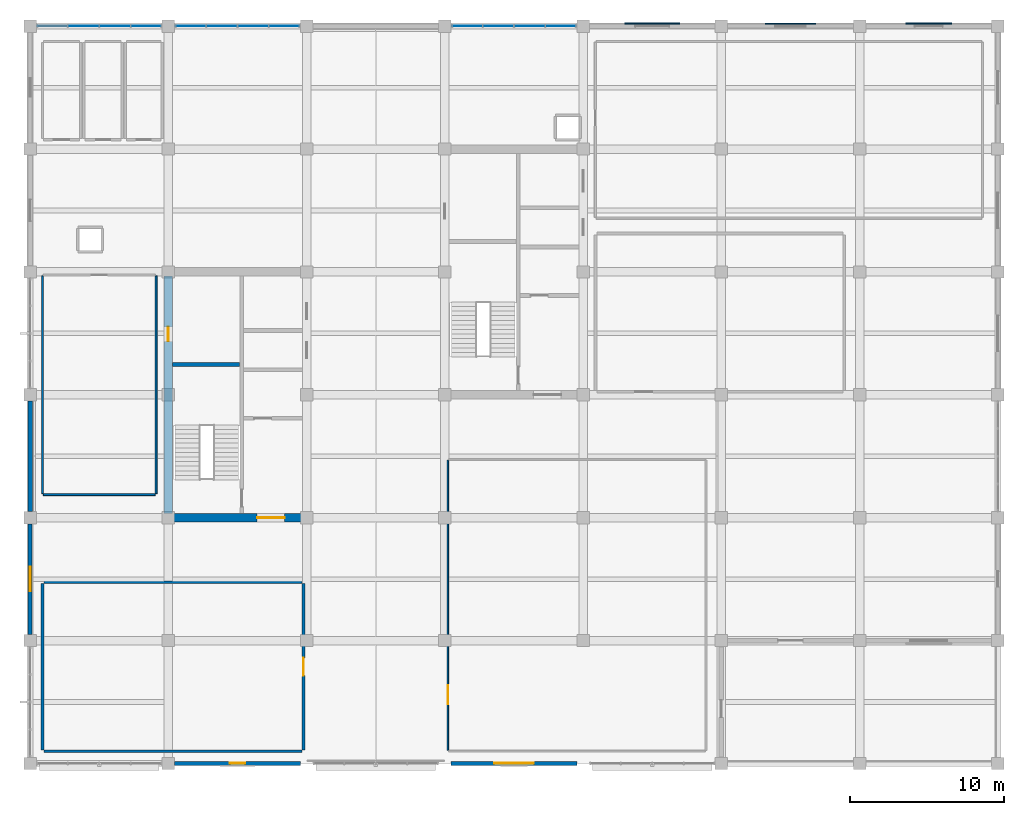
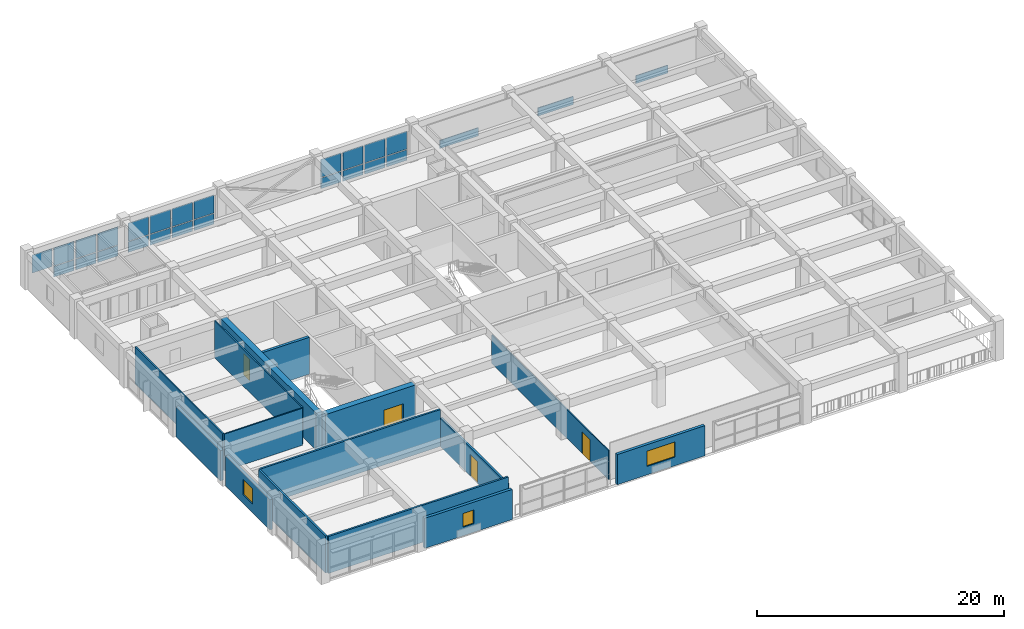
# One storey, part 12 of 17: 26 plates, 15 walls, 4 doors, 3 windows, 7 openings, 3 elements without a shape of their own.
"""IFC4 building model written with IfcOpenShell, lengths in metres."""

import ifcopenshell
import ifcopenshell.guid

model = None  # the IFC model being written
_history = None  # IfcOwnerHistory: only IFC2X3 demands one
_inside = {}  # id of a spatial element -> (the spatial element, [elements in it])
_under = {}  # id of a project, library or spatial element -> (it, [spatial elements below it])
_declared = {}  # id of a project -> (the project, [libraries it declares])
_typed = {}  # id of a type object -> (the type object, [elements of that type])
_made_of = {}  # id of a material, layer set ... -> (it, [elements and type objects made of it])


def new_model(schema):
    """Start an empty IFC model of exactly this schema.

    Asked for "IFC4X3", IfcOpenShell would pick the latest addendum, in which some entities
    have other attributes; the version numbers below select the first issue.
    IFC2X3 requires an IfcOwnerHistory on every rooted entity: one is made here for all.
    """
    global model, _history
    if schema == "IFC4X3":
        model = ifcopenshell.file(schema_version=(4, 3, 0, 0))
    else:
        model = ifcopenshell.file(schema=schema)
    _inside.clear()
    _under.clear()
    _declared.clear()
    _typed.clear()
    _made_of.clear()
    _history = None
    if model.schema == "IFC2X3":
        org = make("IfcOrganization", Name="unknown")
        user = make(
            "IfcPersonAndOrganization",
            ThePerson=make("IfcPerson", FamilyName="unknown"),
            TheOrganization=org,
        )
        app = make(
            "IfcApplication",
            ApplicationDeveloper=org,
            Version="unknown",
            ApplicationFullName="unknown",
            ApplicationIdentifier="unknown",
        )
        _history = make(
            "IfcOwnerHistory",
            OwningUser=user,
            OwningApplication=app,
            ChangeAction="ADDED",
            CreationDate=0,
        )
    return model


def make(cls, **values):
    """One entity of the class cls with the attributes given. An attribute that is None is left unset."""
    return model.create_entity(
        cls, **{name: value for name, value in values.items() if value is not None}
    )


def rooted(cls, **values):
    """An entity with a GlobalId (a new one), such as an element, a storey or a relation."""
    return make(cls, GlobalId=ifcopenshell.guid.new(), OwnerHistory=_history, **values)


def si_unit(unit_type, name, prefix=None):
    """IfcSIUnit, for example si_unit("LENGTHUNIT", "METRE", prefix="MILLI")."""
    return make("IfcSIUnit", UnitType=unit_type, Prefix=prefix, Name=name)


def assignment(units):
    """IfcUnitAssignment: the units of a project."""
    return None if units is None else make("IfcUnitAssignment", Units=units)


def point(xyz):
    """IfcCartesianPoint."""
    return None if xyz is None else make("IfcCartesianPoint", Coordinates=xyz)


def direction(xyz):
    """IfcDirection."""
    return None if xyz is None else make("IfcDirection", DirectionRatios=xyz)


def frame(location, z_axis=None, x_axis=None):
    """IfcAxis2Placement3D, a coordinate frame: its origin and axes. An axis left out is left unset."""
    return make(
        "IfcAxis2Placement3D",
        Location=point(location),
        Axis=direction(z_axis),
        RefDirection=direction(x_axis),
    )


def frame_2d(location, x_axis=None):
    """IfcAxis2Placement2D, a coordinate frame in the plane: its origin and x axis."""
    return make(
        "IfcAxis2Placement2D", Location=point(location), RefDirection=direction(x_axis)
    )


def origin():
    """The frame at (0, 0, 0) with its axes left unset."""
    return frame((0.0, 0.0, 0.0))


def place(relative_to, where):
    """IfcLocalPlacement: puts the frame where relative to a parent placement (None: the world)."""
    return make(
        "IfcLocalPlacement", PlacementRelTo=relative_to, RelativePlacement=where
    )


def context(
    kind, dimensions, precision=None, world=None, true_north=None, identifier=None
):
    """IfcGeometricRepresentationContext, for example the 3D "Model" context."""
    return make(
        "IfcGeometricRepresentationContext",
        ContextIdentifier=identifier,
        ContextType=kind,
        CoordinateSpaceDimension=dimensions,
        Precision=precision,
        WorldCoordinateSystem=world,
        TrueNorth=true_north,
    )


def subcontext(parent, identifier, kind, view, scale=None):
    """IfcGeometricRepresentationSubContext, for example "Body" below "Model"."""
    return make(
        "IfcGeometricRepresentationSubContext",
        ContextIdentifier=identifier,
        ContextType=kind,
        ParentContext=parent,
        TargetScale=scale,
        TargetView=view,
    )


def project(units=None, contexts=None):
    """IfcProject with its units and contexts."""
    return rooted(
        "IfcProject",
        Name="project",
        RepresentationContexts=contexts,
        UnitsInContext=assignment(units),
    )


def spatial(cls, under=None, at=None, **own):
    """A site, building, storey or space (cls), placed at a placement, below another one or the project."""
    s = rooted(cls, ObjectPlacement=at, **own)
    if under is not None:
        _under.setdefault(under.id(), (under, []))[1].append(s)
    return s


def profile(cls, at=None, kind="AREA", **sizes):
    """A parametric profile (cls). Its sizes go by their IFC names, for example OverallWidth=200.0."""
    return make(cls, ProfileType=kind, Position=at, **sizes)


def rectangle(**sizes):
    """IfcRectangleProfileDef."""
    return profile("IfcRectangleProfileDef", **sizes)


def extrude(swept, where, along, depth):
    """IfcExtrudedAreaSolid: the profile swept, set in the frame where, extruded along a direction by depth."""
    return make(
        "IfcExtrudedAreaSolid",
        SweptArea=swept,
        Position=where,
        ExtrudedDirection=direction(along),
        Depth=depth,
    )


def shape(context_of_items, identifier, shape_type, items):
    """IfcShapeRepresentation: the items that make up one representation, for example the "Body"."""
    return make(
        "IfcShapeRepresentation",
        ContextOfItems=context_of_items,
        RepresentationIdentifier=identifier,
        RepresentationType=shape_type,
        Items=items,
    )


def material(Name=None, Category=None):
    """IfcMaterial."""
    return make("IfcMaterial", Name=Name, Category=Category)


def layer(
    of_material, thickness, ventilated=None, Name=None, Category=None, Priority=None
):
    """IfcMaterialLayer: one layer of a wall or slab, of a material (None: an air gap)."""
    return make(
        "IfcMaterialLayer",
        Material=of_material,
        LayerThickness=thickness,
        IsVentilated=ventilated,
        Name=Name,
        Category=Category,
        Priority=Priority,
    )


def layer_set(layers, Name=None):
    """IfcMaterialLayerSet."""
    return make("IfcMaterialLayerSet", MaterialLayers=layers, LayerSetName=Name)


def made_of(thing, what):
    """Note that an element or type object is made of a material, layer set ...; save() writes the relation."""
    if what is not None:
        _made_of.setdefault(what.id(), (what, []))[1].append(thing)
    return thing


def type_object(cls, material=None, **own):
    """A type object (cls), such as IfcWallType, which elements share."""
    return made_of(rooted(cls, **own), material)


def element(
    cls,
    number,
    at=None,
    inside=None,
    cuts=None,
    type_object=None,
    material=None,
    context=None,
    identifier="Body",
    shape_type=None,
    held_by="IfcProductDefinitionShape",
    body=None,
    shapes=None,
    **own,
):
    """One element of the class cls, such as IfcWall. Its Tag is "e" and its number.

    at: its placement. inside: the storey or other place that contains it. cuts: it is an
    opening in that element (IfcRelVoidsElement). A single representation is given by context,
    identifier, shape_type and body (its items); several are given by shapes. held_by: the class
    of the entity that holds the representations. save() writes the other relations.
    """
    e = rooted(cls, Tag="e%d" % number, ObjectPlacement=at, **own)
    if body is not None:
        shapes = [shape(context, identifier, shape_type, body)]
    if shapes is not None:
        e.Representation = make(held_by, Representations=shapes)
    if inside is not None:
        _inside.setdefault(inside.id(), (inside, []))[1].append(e)
    if cuts is not None:
        rooted(
            "IfcRelVoidsElement", RelatingBuildingElement=cuts, RelatedOpeningElement=e
        )
    if type_object is not None:
        _typed.setdefault(type_object.id(), (type_object, []))[1].append(e)
    return made_of(e, material)


def fill(opening, filler):
    """IfcRelFillsElement: the door or window that sits in an opening."""
    return rooted(
        "IfcRelFillsElement",
        RelatingOpeningElement=opening,
        RelatedBuildingElement=filler,
    )


def aggregate(whole, parts):
    """IfcRelAggregates: a whole, such as a stair, and the parts it consists of."""
    return rooted("IfcRelAggregates", RelatingObject=whole, RelatedObjects=parts)


def save(model, path):
    """Write the relations noted so far, then the file.

    IfcRelAggregates (storeys below a building ...), IfcRelContainedInSpatialStructure (elements
    in a storey), IfcRelDefinesByType, IfcRelAssociatesMaterial and IfcRelDeclares: one each for
    every whole, place, type object, material and project.
    """
    for whole, parts in _under.values():
        aggregate(whole, parts)
    for where, things in _inside.values():
        rooted(
            "IfcRelContainedInSpatialStructure",
            RelatedElements=things,
            RelatingStructure=where,
        )
    for kind, things in _typed.values():
        rooted("IfcRelDefinesByType", RelatedObjects=things, RelatingType=kind)
    for what, things in _made_of.values():
        rooted("IfcRelAssociatesMaterial", RelatedObjects=things, RelatingMaterial=what)
    for by, libraries in _declared.values():
        rooted("IfcRelDeclares", RelatingContext=by, RelatedDefinitions=libraries)
    model.write(path)


model = new_model("IFC4")

# Units and contexts
model_context = context("Model", 3, precision=1e-05, world=origin(), true_north=direction((0.0, 1.0)))
body_context = subcontext(model_context, "Body", "Model", "MODEL_VIEW")
ifc_project = project(units=[si_unit("LENGTHUNIT", "METRE"), si_unit("AREAUNIT", "SQUARE_METRE"), si_unit("VOLUMEUNIT", "CUBIC_METRE"), si_unit("PLANEANGLEUNIT", "RADIAN"), si_unit("MASSUNIT", "GRAM", prefix="KILO")], contexts=[model_context])

# Site, building, storey
site_placement = place(None, origin())
site = spatial("IfcSite", under=ifc_project, at=site_placement, CompositionType="ELEMENT")
building_placement = place(site_placement, origin())
building = spatial("IfcBuilding", under=site, at=building_placement, Name="Zaverband Oceanarium and Marine Research Institute", CompositionType="ELEMENT")
storey_placement = place(building_placement, frame((0.0, 0.0, 33.60009765625)))
storey = spatial("IfcBuildingStorey", under=building, at=storey_placement, Name="L08", CompositionType="ELEMENT", Elevation=33.60009765625)

# Curtain wall, plates
ifc_material_1 = material(Name="Thermally broken anodized aluminium and solar-control glass", Category="aluminium")
curtain_wall_type = type_object("IfcCurtainWallType", Name="CW-UNIT-1800", PredefinedType="NOTDEFINED", material=ifc_material_1)
curtain_wall_1_placement = place(storey_placement, origin())
curtain_wall_1 = element("IfcCurtainWall", 1, at=curtain_wall_1_placement, inside=storey, type_object=curtain_wall_type, Name="Unitised glazed curtain wall CW-097", PredefinedType="NOTDEFINED")
ifc_material_2 = material(Name="Low-E double-glazed solar-control glass", Category="glass")
ifc_layer_1 = layer(ifc_material_2, 0.033935546875, Name="Low-E double-glazed solar-control glass")
ifc_layer_set_1 = layer_set([ifc_layer_1], Name="Low-E double-glazed solar-control glass")
plate_type_1 = type_object("IfcPlateType", Name="CWP-1820x1043", PredefinedType="CURTAIN_PANEL", material=ifc_layer_set_1)
plate_1_placement = place(storey_placement, frame((11.532470703125, 112.0, 0.0498046875), z_axis=(0.0, 0.0, 1.0), x_axis=(1.0, 0.0, 0.0)))
plate_1 = element("IfcPlate", 2, at=plate_1_placement, type_object=plate_type_1, Name="Glazed curtain wall panel CWP-1820x1043", PredefinedType="CURTAIN_PANEL", context=body_context, shape_type="SweptSolid", body=[
    extrude(rectangle(XDim=1.887451171875, YDim=0.033935546875, at=frame_2d((0.94384765625, 0.0))), origin(), (0.0, 0.0, 1.0), 1.043212890625),
])
plate_2_placement = place(storey_placement, frame((13.580078125, 112.0, 0.0498046875), z_axis=(0.0, 0.0, 1.0), x_axis=(1.0, 0.0, 0.0)))
plate_2 = element("IfcPlate", 3, at=plate_2_placement, type_object=plate_type_1, Name="Glazed curtain wall panel CWP-1820x1043", PredefinedType="CURTAIN_PANEL", context=body_context, shape_type="SweptSolid", body=[
    extrude(rectangle(XDim=1.887451171875, YDim=0.033935546875, at=frame_2d((0.94384765625, 0.0))), origin(), (0.0, 0.0, 1.0), 1.043212890625),
])
plate_3_placement = place(storey_placement, frame((15.62744140625, 112.0, 0.0498046875), z_axis=(0.0, 0.0, 1.0), x_axis=(1.0, 0.0, 0.0)))
plate_3 = element("IfcPlate", 4, at=plate_3_placement, type_object=plate_type_1, Name="Glazed curtain wall panel CWP-1820x1043", PredefinedType="CURTAIN_PANEL", context=body_context, shape_type="SweptSolid", body=[
    extrude(rectangle(XDim=1.887451171875, YDim=0.033935546875, at=frame_2d((0.94384765625, 0.0))), origin(), (0.0, 0.0, 1.0), 1.043212890625),
])

curtain_wall_2_placement = place(storey_placement, origin())
curtain_wall_2 = element("IfcCurtainWall", 5, at=curtain_wall_2_placement, inside=storey, type_object=curtain_wall_type, Name="Unitised glazed curtain wall CW-098", PredefinedType="NOTDEFINED")
plate_4_placement = place(storey_placement, frame((18.485107421875, 112.0, 0.0498046875), z_axis=(0.0, 0.0, 1.0), x_axis=(1.0, 0.0, 0.0)))
plate_4 = element("IfcPlate", 6, at=plate_4_placement, type_object=plate_type_1, Name="Glazed curtain wall panel CWP-1820x1043", PredefinedType="CURTAIN_PANEL", context=body_context, shape_type="SweptSolid", body=[
    extrude(rectangle(XDim=1.887451171875, YDim=0.033935546875, at=frame_2d((0.94384765625, 0.0))), origin(), (0.0, 0.0, 1.0), 1.043212890625),
])
plate_5_placement = place(storey_placement, frame((20.532470703125, 112.0, 0.0498046875), z_axis=(0.0, 0.0, 1.0), x_axis=(1.0, 0.0, 0.0)))
plate_5 = element("IfcPlate", 7, at=plate_5_placement, type_object=plate_type_1, Name="Glazed curtain wall panel CWP-1820x1043", PredefinedType="CURTAIN_PANEL", context=body_context, shape_type="SweptSolid", body=[
    extrude(rectangle(XDim=1.887451171875, YDim=0.033935546875, at=frame_2d((0.94384765625, 0.0))), origin(), (0.0, 0.0, 1.0), 1.043212890625),
])
plate_6_placement = place(storey_placement, frame((22.580078125, 112.0, 0.0498046875), z_axis=(0.0, 0.0, 1.0), x_axis=(1.0, 0.0, 0.0)))
plate_6 = element("IfcPlate", 8, at=plate_6_placement, type_object=plate_type_1, Name="Glazed curtain wall panel CWP-1820x1043", PredefinedType="CURTAIN_PANEL", context=body_context, shape_type="SweptSolid", body=[
    extrude(rectangle(XDim=1.887451171875, YDim=0.033935546875, at=frame_2d((0.94384765625, 0.0))), origin(), (0.0, 0.0, 1.0), 1.043212890625),
])
plate_7_placement = place(storey_placement, frame((24.62744140625, 112.0, 0.0498046875), z_axis=(0.0, 0.0, 1.0), x_axis=(1.0, 0.0, 0.0)))
plate_7 = element("IfcPlate", 9, at=plate_7_placement, type_object=plate_type_1, Name="Glazed curtain wall panel CWP-1820x1043", PredefinedType="CURTAIN_PANEL", context=body_context, shape_type="SweptSolid", body=[
    extrude(rectangle(XDim=1.887451171875, YDim=0.033935546875, at=frame_2d((0.94384765625, 0.0))), origin(), (0.0, 0.0, 1.0), 1.043212890625),
])

curtain_wall_3_placement = place(storey_placement, origin())
curtain_wall_3 = element("IfcCurtainWall", 10, at=curtain_wall_3_placement, inside=storey, type_object=curtain_wall_type, Name="Unitised glazed curtain wall CW-099", PredefinedType="NOTDEFINED")
plate_8_placement = place(storey_placement, frame((36.485107421875, 112.0, 0.0498046875), z_axis=(0.0, 0.0, 1.0), x_axis=(1.0, 0.0, 0.0)))
plate_8 = element("IfcPlate", 11, at=plate_8_placement, type_object=plate_type_1, Name="Glazed curtain wall panel CWP-1820x1043", PredefinedType="CURTAIN_PANEL", context=body_context, shape_type="SweptSolid", body=[
    extrude(rectangle(XDim=1.887451171875, YDim=0.033935546875, at=frame_2d((0.94384765625, 0.0))), origin(), (0.0, 0.0, 1.0), 1.043212890625),
])
plate_9_placement = place(storey_placement, frame((38.532470703125, 112.0, 0.0498046875), z_axis=(0.0, 0.0, 1.0), x_axis=(1.0, 0.0, 0.0)))
plate_9 = element("IfcPlate", 12, at=plate_9_placement, type_object=plate_type_1, Name="Glazed curtain wall panel CWP-1820x1043", PredefinedType="CURTAIN_PANEL", context=body_context, shape_type="SweptSolid", body=[
    extrude(rectangle(XDim=1.887451171875, YDim=0.033935546875, at=frame_2d((0.94384765625, 0.0))), origin(), (0.0, 0.0, 1.0), 1.043212890625),
])
plate_10_placement = place(storey_placement, frame((40.580078125, 112.0, 0.0498046875), z_axis=(0.0, 0.0, 1.0), x_axis=(1.0, 0.0, 0.0)))
plate_10 = element("IfcPlate", 13, at=plate_10_placement, type_object=plate_type_1, Name="Glazed curtain wall panel CWP-1820x1043", PredefinedType="CURTAIN_PANEL", context=body_context, shape_type="SweptSolid", body=[
    extrude(rectangle(XDim=1.887451171875, YDim=0.033935546875, at=frame_2d((0.94384765625, 0.0))), origin(), (0.0, 0.0, 1.0), 1.043212890625),
])
plate_11_placement = place(storey_placement, frame((42.62744140625, 112.0, 0.0498046875), z_axis=(0.0, 0.0, 1.0), x_axis=(1.0, 0.0, 0.0)))
plate_11 = element("IfcPlate", 14, at=plate_11_placement, type_object=plate_type_1, Name="Glazed curtain wall panel CWP-1820x1043", PredefinedType="CURTAIN_PANEL", context=body_context, shape_type="SweptSolid", body=[
    extrude(rectangle(XDim=1.887451171875, YDim=0.033935546875, at=frame_2d((0.94384765625, 0.0))), origin(), (0.0, 0.0, 1.0), 1.043212890625),
])

# Plate
ifc_layer_2 = layer(ifc_material_2, 0.035888671875, Name="Low-E double-glazed solar-control glass")
ifc_layer_set_2 = layer_set([ifc_layer_2], Name="Low-E double-glazed solar-control glass")
plate_type_2 = type_object("IfcPlateType", Name="CWP-1820x1777", PredefinedType="CURTAIN_PANEL", material=ifc_layer_set_2)
plate_12_placement = place(storey_placement, frame((9.485107421875, 112.0, 1.162841796875), z_axis=(0.0, 0.0, 1.0), x_axis=(1.0, 0.0, 0.0)))
plate_12 = element("IfcPlate", 15, at=plate_12_placement, type_object=plate_type_2, Name="Glazed curtain wall panel CWP-1820x1777", PredefinedType="CURTAIN_PANEL", context=body_context, shape_type="SweptSolid", body=[
    extrude(rectangle(XDim=1.887451171875, YDim=0.035888671875, at=frame_2d((0.94384765625, 0.0))), origin(), (0.0, 0.0, 1.0), 1.777099609375),
])

plate_13_placement = place(storey_placement, frame((11.532470703125, 112.0, 1.162841796875), z_axis=(0.0, 0.0, 1.0), x_axis=(1.0, 0.0, 0.0)))
plate_13 = element("IfcPlate", 16, at=plate_13_placement, type_object=plate_type_2, Name="Glazed curtain wall panel CWP-1820x1777", PredefinedType="CURTAIN_PANEL", context=body_context, shape_type="SweptSolid", body=[
    extrude(rectangle(XDim=1.887451171875, YDim=0.035888671875, at=frame_2d((0.94384765625, 0.0))), origin(), (0.0, 0.0, 1.0), 1.777099609375),
])

plate_14_placement = place(storey_placement, frame((13.580078125, 112.0, 1.162841796875), z_axis=(0.0, 0.0, 1.0), x_axis=(1.0, 0.0, 0.0)))
plate_14 = element("IfcPlate", 17, at=plate_14_placement, type_object=plate_type_2, Name="Glazed curtain wall panel CWP-1820x1777", PredefinedType="CURTAIN_PANEL", context=body_context, shape_type="SweptSolid", body=[
    extrude(rectangle(XDim=1.887451171875, YDim=0.035888671875, at=frame_2d((0.94384765625, 0.0))), origin(), (0.0, 0.0, 1.0), 1.777099609375),
])

plate_15_placement = place(storey_placement, frame((15.62744140625, 112.0, 1.162841796875), z_axis=(0.0, 0.0, 1.0), x_axis=(1.0, 0.0, 0.0)))
plate_15 = element("IfcPlate", 18, at=plate_15_placement, type_object=plate_type_2, Name="Glazed curtain wall panel CWP-1820x1777", PredefinedType="CURTAIN_PANEL", context=body_context, shape_type="SweptSolid", body=[
    extrude(rectangle(XDim=1.887451171875, YDim=0.035888671875, at=frame_2d((0.94384765625, 0.0))), origin(), (0.0, 0.0, 1.0), 1.777099609375),
])

aggregate(curtain_wall_1, [plate_12, plate_1, plate_13, plate_2, plate_14, plate_3, plate_15])

plate_16_placement = place(storey_placement, frame((18.485107421875, 112.0, 1.162841796875), z_axis=(0.0, 0.0, 1.0), x_axis=(1.0, 0.0, 0.0)))
plate_16 = element("IfcPlate", 19, at=plate_16_placement, type_object=plate_type_2, Name="Glazed curtain wall panel CWP-1820x1777", PredefinedType="CURTAIN_PANEL", context=body_context, shape_type="SweptSolid", body=[
    extrude(rectangle(XDim=1.887451171875, YDim=0.035888671875, at=frame_2d((0.94384765625, 0.0))), origin(), (0.0, 0.0, 1.0), 1.777099609375),
])

plate_17_placement = place(storey_placement, frame((20.532470703125, 112.0, 1.162841796875), z_axis=(0.0, 0.0, 1.0), x_axis=(1.0, 0.0, 0.0)))
plate_17 = element("IfcPlate", 20, at=plate_17_placement, type_object=plate_type_2, Name="Glazed curtain wall panel CWP-1820x1777", PredefinedType="CURTAIN_PANEL", context=body_context, shape_type="SweptSolid", body=[
    extrude(rectangle(XDim=1.887451171875, YDim=0.035888671875, at=frame_2d((0.94384765625, 0.0))), origin(), (0.0, 0.0, 1.0), 1.777099609375),
])

plate_18_placement = place(storey_placement, frame((22.580078125, 112.0, 1.162841796875), z_axis=(0.0, 0.0, 1.0), x_axis=(1.0, 0.0, 0.0)))
plate_18 = element("IfcPlate", 21, at=plate_18_placement, type_object=plate_type_2, Name="Glazed curtain wall panel CWP-1820x1777", PredefinedType="CURTAIN_PANEL", context=body_context, shape_type="SweptSolid", body=[
    extrude(rectangle(XDim=1.887451171875, YDim=0.035888671875, at=frame_2d((0.94384765625, 0.0))), origin(), (0.0, 0.0, 1.0), 1.777099609375),
])

plate_19_placement = place(storey_placement, frame((24.62744140625, 112.0, 1.162841796875), z_axis=(0.0, 0.0, 1.0), x_axis=(1.0, 0.0, 0.0)))
plate_19 = element("IfcPlate", 22, at=plate_19_placement, type_object=plate_type_2, Name="Glazed curtain wall panel CWP-1820x1777", PredefinedType="CURTAIN_PANEL", context=body_context, shape_type="SweptSolid", body=[
    extrude(rectangle(XDim=1.887451171875, YDim=0.035888671875, at=frame_2d((0.94384765625, 0.0))), origin(), (0.0, 0.0, 1.0), 1.777099609375),
])

aggregate(curtain_wall_2, [plate_4, plate_16, plate_5, plate_17, plate_6, plate_18, plate_7, plate_19])

plate_20_placement = place(storey_placement, frame((36.485107421875, 112.0, 1.162841796875), z_axis=(0.0, 0.0, 1.0), x_axis=(1.0, 0.0, 0.0)))
plate_20 = element("IfcPlate", 23, at=plate_20_placement, type_object=plate_type_2, Name="Glazed curtain wall panel CWP-1820x1777", PredefinedType="CURTAIN_PANEL", context=body_context, shape_type="SweptSolid", body=[
    extrude(rectangle(XDim=1.887451171875, YDim=0.035888671875, at=frame_2d((0.94384765625, 0.0))), origin(), (0.0, 0.0, 1.0), 1.777099609375),
])

plate_21_placement = place(storey_placement, frame((38.532470703125, 112.0, 1.162841796875), z_axis=(0.0, 0.0, 1.0), x_axis=(1.0, 0.0, 0.0)))
plate_21 = element("IfcPlate", 24, at=plate_21_placement, type_object=plate_type_2, Name="Glazed curtain wall panel CWP-1820x1777", PredefinedType="CURTAIN_PANEL", context=body_context, shape_type="SweptSolid", body=[
    extrude(rectangle(XDim=1.887451171875, YDim=0.035888671875, at=frame_2d((0.94384765625, 0.0))), origin(), (0.0, 0.0, 1.0), 1.777099609375),
])

plate_22_placement = place(storey_placement, frame((40.580078125, 112.0, 1.162841796875), z_axis=(0.0, 0.0, 1.0), x_axis=(1.0, 0.0, 0.0)))
plate_22 = element("IfcPlate", 25, at=plate_22_placement, type_object=plate_type_2, Name="Glazed curtain wall panel CWP-1820x1777", PredefinedType="CURTAIN_PANEL", context=body_context, shape_type="SweptSolid", body=[
    extrude(rectangle(XDim=1.887451171875, YDim=0.035888671875, at=frame_2d((0.94384765625, 0.0))), origin(), (0.0, 0.0, 1.0), 1.777099609375),
])

plate_23_placement = place(storey_placement, frame((42.62744140625, 112.0, 1.162841796875), z_axis=(0.0, 0.0, 1.0), x_axis=(1.0, 0.0, 0.0)))
plate_23 = element("IfcPlate", 26, at=plate_23_placement, type_object=plate_type_2, Name="Glazed curtain wall panel CWP-1820x1777", PredefinedType="CURTAIN_PANEL", context=body_context, shape_type="SweptSolid", body=[
    extrude(rectangle(XDim=1.887451171875, YDim=0.035888671875, at=frame_2d((0.94384765625, 0.0))), origin(), (0.0, 0.0, 1.0), 1.777099609375),
])

aggregate(curtain_wall_3, [plate_8, plate_20, plate_9, plate_21, plate_10, plate_22, plate_11, plate_23])

# Plates
ifc_material_3 = material(Name="Concrete C40/50 precast ochre", Category="concrete")
ifc_layer_3 = layer(ifc_material_3, 0.080078125, Name="Concrete C40/50 precast ochre")
ifc_layer_set_3 = layer_set([ifc_layer_3], Name="Concrete C40/50 precast ochre")
plate_type_3 = type_object("IfcPlateType", Name="FRP-3000x780", PredefinedType="USERDEFINED", material=ifc_layer_set_3)
plate_24_placement = place(storey_placement, frame((66.0, 112.169921875, 0.0), z_axis=(0.0, 0.0, 1.0), x_axis=(1.0, 0.0, 0.0)))
element("IfcPlate", 27, at=plate_24_placement, inside=storey, type_object=plate_type_3, Name="Geometric precast facade cladding panel FRP-3000x780", ObjectType="FLANGE_PLATE", PredefinedType="USERDEFINED", context=body_context, shape_type="SweptSolid", body=[
    extrude(rectangle(XDim=3.0, YDim=0.080078125, at=frame_2d((1.5, 0.0))), origin(), (0.0, 0.0, 1.0), 0.77978515625),
])
ifc_layer_4 = layer(ifc_material_3, 0.0849609375, Name="Concrete C40/50 precast ochre")
ifc_layer_set_4 = layer_set([ifc_layer_4], Name="Concrete C40/50 precast ochre")
plate_type_4 = type_object("IfcPlateType", Name="FRP-3300x800", PredefinedType="USERDEFINED", material=ifc_layer_set_4)
plate_25_placement = place(storey_placement, frame((56.85009765625, 112.159912109375, 0.0), z_axis=(0.0, 0.0, 1.0), x_axis=(1.0, 0.0, 0.0)))
element("IfcPlate", 28, at=plate_25_placement, inside=storey, type_object=plate_type_4, Name="Geometric precast facade cladding panel FRP-3300x800", ObjectType="FLANGE_PLATE", PredefinedType="USERDEFINED", context=body_context, shape_type="SweptSolid", body=[
    extrude(rectangle(XDim=3.2998046875, YDim=0.0849609375, at=frame_2d((1.64990234375, 0.0))), origin(), (0.0, 0.0, 1.0), 0.7998046875),
])
ifc_layer_5 = layer(ifc_material_3, 0.0849609375, Name="Concrete C40/50 precast ochre")
ifc_layer_set_5 = layer_set([ifc_layer_5], Name="Concrete C40/50 precast ochre")
plate_type_5 = type_object("IfcPlateType", Name="FRP-3600x800", PredefinedType="USERDEFINED", material=ifc_layer_set_5)
plate_26_placement = place(storey_placement, frame((47.699951171875, 112.172607421875, 0.0), z_axis=(0.0, 0.0, 1.0), x_axis=(1.0, 0.0, 0.0)))
element("IfcPlate", 29, at=plate_26_placement, inside=storey, type_object=plate_type_5, Name="Geometric precast facade cladding panel FRP-3600x800", ObjectType="FLANGE_PLATE", PredefinedType="USERDEFINED", context=body_context, shape_type="SweptSolid", body=[
    extrude(rectangle(XDim=3.60009765625, YDim=0.0849609375, at=frame_2d((1.800048828125, 0.0))), origin(), (0.0, 0.0, 1.0), 0.7998046875),
])

# Wall, opening, door
ifc_material_4 = material(Name="Concrete C50/60", Category="concrete")
ifc_layer_6 = layer(ifc_material_4, 0.550048828125, Name="Concrete C50/60")
ifc_layer_set_6 = layer_set([ifc_layer_6], Name="Concrete C50/60")
wall_type_1 = type_object("IfcWallType", Name="CW-01", PredefinedType="SHEAR", material=ifc_layer_set_6)
wall_1_placement = place(storey_placement, frame((18.27490234375, 80.0, 0.0), z_axis=(0.0, 0.0, 1.0), x_axis=(1.0, 0.0, 0.0)))
wall_1 = element("IfcWall", 30, at=wall_1_placement, inside=storey, type_object=wall_type_1, Name="Structural shear wall CW-01", PredefinedType="SHEAR", context=body_context, shape_type="SweptSolid", body=[
    extrude(rectangle(XDim=8.4501953125, YDim=0.550048828125, at=frame_2d((4.22509765625, 0.0))), origin(), (0.0, 0.0, 1.0), 3.64990234375),
])
opening_1_placement = place(wall_1_placement, frame((5.5, 0.0, 0.0)))
opening_1 = element("IfcOpeningElement", 31, at=opening_1_placement, cuts=wall_1, Name="Opening FD-02", PredefinedType="OPENING", context=body_context, shape_type="SweptSolid", body=[
    extrude(rectangle(XDim=1.800048828125, YDim=2.179931640625, at=frame_2d((0.89990234375, 1.08984375))), frame((0.0, 0.287109375, 0.0), z_axis=(0.0, -1.0, 0.0), x_axis=(1.0, 0.0, 0.0)), (0.0, 0.0, 1.0), 0.573974609375),
])
ifc_material_5 = material(Name="Steel S355", Category="steel")
door_type_1 = type_object("IfcDoorType", Name="FD-02", OperationType="DOUBLE_DOOR_SINGLE_SWING", PredefinedType="DOOR", material=ifc_material_5)
door_1_placement = place(opening_1_placement, origin())
door_1 = element("IfcDoor", 32, at=door_1_placement, inside=storey, type_object=door_type_1, Name="Protected lobby double fire door FD-02", OperationType="DOUBLE_DOOR_SINGLE_SWING", OverallHeight=2.179931640625, OverallWidth=1.800048828125, PredefinedType="DOOR", context=body_context, shape_type="SweptSolid", body=[
    extrude(rectangle(XDim=1.800048828125, YDim=2.179931640625, at=frame_2d((0.89990234375, 1.08984375))), frame((0.0, 0.02490234375, 0.0), z_axis=(0.0, -1.0, 0.0), x_axis=(1.0, 0.0, 0.0)), (0.0, 0.0, 1.0), 0.050048828125),
])
fill(opening_1, door_1)

wall_2_placement = place(storey_placement, frame((18.0, 80.27490234375, 0.0), z_axis=(0.0, 0.0, 1.0), x_axis=(0.0, 1.0, 0.0)))
wall_2 = element("IfcWall", 33, at=wall_2_placement, inside=storey, type_object=wall_type_1, Name="Structural shear wall CW-01", PredefinedType="SHEAR", context=body_context, shape_type="SweptSolid", body=[
    extrude(rectangle(XDim=15.4501953125, YDim=0.550048828125, at=frame_2d((7.72509765625, 0.0))), origin(), (0.0, 0.0, 1.0), 3.64990234375),
])
opening_2_placement = place(wall_2_placement, frame((11.199951171875, 0.0, 0.0)))
opening_2 = element("IfcOpeningElement", 34, at=opening_2_placement, cuts=wall_2, Name="Opening FD-03", PredefinedType="OPENING", context=body_context, shape_type="SweptSolid", body=[
    extrude(rectangle(XDim=0.949951171875, YDim=2.10009765625, at=frame_2d((0.47509765625, 1.050048828125))), frame((0.0, 0.287109375, 0.0), z_axis=(0.0, -1.0, 0.0), x_axis=(1.0, 0.0, 0.0)), (0.0, 0.0, 1.0), 0.573974609375),
])
door_type_2 = type_object("IfcDoorType", Name="FD-03", OperationType="NOTDEFINED", PredefinedType="DOOR", material=ifc_material_5)
door_2_placement = place(opening_2_placement, origin())
door_2 = element("IfcDoor", 35, at=door_2_placement, inside=storey, type_object=door_type_2, Name="Service riser access fire door FD-03", OperationType="SINGLE_SWING_RIGHT", OverallHeight=2.10009765625, OverallWidth=0.949951171875, PredefinedType="DOOR", context=body_context, shape_type="SweptSolid", body=[
    extrude(rectangle(XDim=0.949951171875, YDim=2.10009765625, at=frame_2d((0.47509765625, 1.050048828125))), frame((0.0, 0.02490234375, 0.0), z_axis=(0.0, -1.0, 0.0), x_axis=(1.0, 0.0, 0.0)), (0.0, 0.0, 1.0), 0.050048828125),
])
fill(opening_2, door_2)

# Wall, opening, window
ifc_material_6 = material(Name="Concrete C40/50 precast", Category="concrete")
ifc_layer_7 = layer(ifc_material_6, 0.264892578125, Name="Concrete C40/50 precast")
ifc_layer_set_7 = layer_set([ifc_layer_7], Name="Concrete C40/50 precast")
wall_type_2 = type_object("IfcWallType", Name="EW-265", PredefinedType="STANDARD", material=ifc_layer_set_7)
wall_3_placement = place(storey_placement, frame((18.405029296875, 64.0, 0.0), z_axis=(0.0, 0.0, 1.0), x_axis=(1.0, 0.0, 0.0)))
wall_3 = element("IfcWall", 36, at=wall_3_placement, inside=storey, type_object=wall_type_2, Name="Exterior infill wall EW-265", PredefinedType="STANDARD", context=body_context, shape_type="SweptSolid", body=[
    extrude(rectangle(XDim=8.18994140625, YDim=0.264892578125, at=frame_2d((4.094970703125, 0.0))), origin(), (0.0, 0.0, 1.0), 2.97998046875),
])
opening_3_placement = place(wall_3_placement, frame((3.594970703125, 0.0, 0.85009765625)))
opening_3 = element("IfcOpeningElement", 37, at=opening_3_placement, cuts=wall_3, Name="Opening WN-1000x1350", PredefinedType="OPENING", context=body_context, shape_type="SweptSolid", body=[
    extrude(rectangle(XDim=1.0, YDim=1.35009765625, at=frame_2d((0.5, 0.675048828125))), frame((0.0, 0.14453125, 0.0), z_axis=(0.0, -1.0, 0.0), x_axis=(1.0, 0.0, 0.0)), (0.0, 0.0, 1.0), 0.288818359375),
])
window_type_1 = type_object("IfcWindowType", Name="WN-1000x1350", PartitioningType="SINGLE_PANEL", PredefinedType="WINDOW", material=ifc_material_1)
window_1_placement = place(opening_3_placement, origin())
window_1 = element("IfcWindow", 38, at=window_1_placement, inside=storey, type_object=window_type_1, Name="Fixed / casement exterior window WN-1000x1350", OverallHeight=1.35009765625, OverallWidth=1.0, PartitioningType="SINGLE_PANEL", PredefinedType="WINDOW", context=body_context, shape_type="SweptSolid", body=[
    extrude(rectangle(XDim=1.0, YDim=1.35009765625, at=frame_2d((0.5, 0.675048828125))), frame((0.0, 0.030029296875, 0.0), z_axis=(0.0, -1.0, 0.0), x_axis=(1.0, 0.0, 0.0)), (0.0, 0.0, 1.0), 0.06005859375),
])
fill(opening_3, window_1)

wall_4_placement = place(storey_placement, frame((36.405029296875, 64.0, 0.0), z_axis=(0.0, 0.0, 1.0), x_axis=(1.0, 0.0, 0.0)))
wall_4 = element("IfcWall", 39, at=wall_4_placement, inside=storey, type_object=wall_type_2, Name="Exterior infill wall EW-265", PredefinedType="STANDARD", context=body_context, shape_type="SweptSolid", body=[
    extrude(rectangle(XDim=8.18994140625, YDim=0.264892578125, at=frame_2d((4.094970703125, 0.0))), origin(), (0.0, 0.0, 1.0), 2.97998046875),
])
opening_4_placement = place(wall_4_placement, frame((2.794921875, 0.0, 0.85009765625)))
opening_4 = element("IfcOpeningElement", 40, at=opening_4_placement, cuts=wall_4, Name="Opening WN-2600x1500", PredefinedType="OPENING", context=body_context, shape_type="SweptSolid", body=[
    extrude(rectangle(XDim=2.60009765625, YDim=1.5, at=frame_2d((1.300048828125, 0.75))), frame((0.0, 0.14453125, 0.0), z_axis=(0.0, -1.0, 0.0), x_axis=(1.0, 0.0, 0.0)), (0.0, 0.0, 1.0), 0.288818359375),
])
window_type_2 = type_object("IfcWindowType", Name="WN-2600x1500", PartitioningType="SINGLE_PANEL", PredefinedType="WINDOW", material=ifc_material_1)
window_2_placement = place(opening_4_placement, origin())
window_2 = element("IfcWindow", 41, at=window_2_placement, inside=storey, type_object=window_type_2, Name="Fixed / casement exterior window WN-2600x1500", OverallHeight=1.5, OverallWidth=2.60009765625, PartitioningType="SINGLE_PANEL", PredefinedType="WINDOW", context=body_context, shape_type="SweptSolid", body=[
    extrude(rectangle(XDim=2.60009765625, YDim=1.5, at=frame_2d((1.300048828125, 0.75))), frame((0.0, 0.030029296875, 0.0), z_axis=(0.0, -1.0, 0.0), x_axis=(1.0, 0.0, 0.0)), (0.0, 0.0, 1.0), 0.06005859375),
])
fill(opening_4, window_2)

wall_5_placement = place(storey_placement, frame((9.0, 72.405029296875, 0.0), z_axis=(0.0, 0.0, 1.0), x_axis=(0.0, 1.0, 0.0)))
wall_5 = element("IfcWall", 42, at=wall_5_placement, inside=storey, type_object=wall_type_2, Name="Exterior infill wall EW-265", PredefinedType="STANDARD", context=body_context, shape_type="SweptSolid", body=[
    extrude(rectangle(XDim=7.18994140625, YDim=0.264892578125, at=frame_2d((3.594970703125, 0.0))), origin(), (0.0, 0.0, 1.0), 2.97998046875),
])
opening_5_placement = place(wall_5_placement, frame((2.794921875, 0.0, 0.85009765625)))
opening_5 = element("IfcOpeningElement", 43, at=opening_5_placement, cuts=wall_5, Name="Opening WN-1600x1500", PredefinedType="OPENING", context=body_context, shape_type="SweptSolid", body=[
    extrude(rectangle(XDim=1.60009765625, YDim=1.5, at=frame_2d((0.800048828125, 0.75))), frame((0.0, 0.14453125, 0.0), z_axis=(0.0, -1.0, 0.0), x_axis=(1.0, 0.0, 0.0)), (0.0, 0.0, 1.0), 0.288818359375),
])
window_type_3 = type_object("IfcWindowType", Name="WN-1600x1500", PartitioningType="SINGLE_PANEL", PredefinedType="WINDOW", material=ifc_material_1)
window_3_placement = place(opening_5_placement, origin())
window_3 = element("IfcWindow", 44, at=window_3_placement, inside=storey, type_object=window_type_3, Name="Fixed / casement exterior window WN-1600x1500", OverallHeight=1.5, OverallWidth=1.60009765625, PartitioningType="SINGLE_PANEL", PredefinedType="WINDOW", context=body_context, shape_type="SweptSolid", body=[
    extrude(rectangle(XDim=1.60009765625, YDim=1.5, at=frame_2d((0.800048828125, 0.75))), frame((0.0, 0.030029296875, 0.0), z_axis=(0.0, -1.0, 0.0), x_axis=(1.0, 0.0, 0.0)), (0.0, 0.0, 1.0), 0.06005859375),
])
fill(opening_5, window_3)

# Wall
ifc_layer_8 = layer(ifc_material_6, 0.2900390625, Name="Concrete C40/50 precast")
ifc_layer_set_8 = layer_set([ifc_layer_8], Name="Concrete C40/50 precast")
wall_type_3 = type_object("IfcWallType", Name="EW-290", PredefinedType="STANDARD", material=ifc_layer_set_8)
wall_6_placement = place(storey_placement, frame((9.0, 80.405029296875, 0.0), z_axis=(0.0, 0.0, 1.0), x_axis=(0.0, 1.0, 0.0)))
element("IfcWall", 45, at=wall_6_placement, inside=storey, type_object=wall_type_3, Name="Exterior infill wall EW-290", PredefinedType="STANDARD", context=body_context, shape_type="SweptSolid", body=[
    extrude(rectangle(XDim=7.18994140625, YDim=0.2900390625, at=frame_2d((3.594970703125, 0.0))), origin(), (0.0, 0.0, 1.0), 2.97998046875),
])

# Wall, opening, door
ifc_material_7 = material(Name="Framed fire-rated glass laboratory partition", Category="glass")
ifc_layer_9 = layer(ifc_material_7, 0.10009765625, Name="Framed fire-rated glass laboratory partition")
ifc_layer_set_9 = layer_set([ifc_layer_9], Name="Framed fire-rated glass laboratory partition")
wall_type_4 = type_object("IfcWallType", Name="PT-100-GL", PredefinedType="PARTITIONING", material=ifc_layer_set_9)
wall_7_placement = place(storey_placement, frame((36.199951171875, 64.85009765625, 0.0), z_axis=(0.0, 0.0, 1.0), x_axis=(0.0, 1.0, 0.0)))
wall_7 = element("IfcWall", 46, at=wall_7_placement, inside=storey, type_object=wall_type_4, Name="Internal partition PT-100-GL", PredefinedType="PARTITIONING", context=body_context, shape_type="SweptSolid", body=[
    extrude(rectangle(XDim=18.89990234375, YDim=0.10009765625, at=frame_2d((9.449951171875, 0.0))), origin(), (0.0, 0.0, 1.0), 2.849853515625),
])
opening_6_placement = place(wall_7_placement, frame((3.0, 0.0, 0.0)))
opening_6 = element("IfcOpeningElement", 47, at=opening_6_placement, cuts=wall_7, Name="Opening ID-1250x2120", PredefinedType="OPENING", context=body_context, shape_type="SweptSolid", body=[
    extrude(rectangle(XDim=1.25, YDim=2.1201171875, at=frame_2d((0.625, 1.06005859375))), frame((0.0, 0.06201171875, 0.0), z_axis=(0.0, -1.0, 0.0), x_axis=(1.0, 0.0, 0.0)), (0.0, 0.0, 1.0), 0.1240234375),
])
ifc_material_8 = material(Name="Hardwood-veneered acoustic timber", Category="wood")
door_type_3 = type_object("IfcDoorType", Name="ID-1250x2120", OperationType="NOTDEFINED", PredefinedType="DOOR", material=ifc_material_8)
door_3_placement = place(opening_6_placement, origin())
door_3 = element("IfcDoor", 48, at=door_3_placement, inside=storey, type_object=door_type_3, Name="Classroom entrance door ID-1250x2120", OperationType="SINGLE_SWING_RIGHT", OverallHeight=2.1201171875, OverallWidth=1.25, PredefinedType="DOOR", context=body_context, shape_type="SweptSolid", body=[
    extrude(rectangle(XDim=1.25, YDim=2.1201171875, at=frame_2d((0.625, 1.06005859375))), frame((0.0, 0.02490234375, 0.0), z_axis=(0.0, -1.0, 0.0), x_axis=(1.0, 0.0, 0.0)), (0.0, 0.0, 1.0), 0.050048828125),
])
fill(opening_6, door_3)

# Walls
ifc_material_9 = material(Name="Insulated metal-stud office partition")
ifc_layer_10 = layer(ifc_material_9, 0.1201171875, Name="Insulated metal-stud office partition")
ifc_layer_set_10 = layer_set([ifc_layer_10], Name="Insulated metal-stud office partition")
wall_type_5 = type_object("IfcWallType", Name="PT-120-OF", PredefinedType="PARTITIONING", material=ifc_layer_set_10)
wall_8_placement = place(storey_placement, frame((9.860107421875, 81.5, 0.0), z_axis=(0.0, 0.0, 1.0), x_axis=(1.0, 0.0, 0.0)))
element("IfcWall", 49, at=wall_8_placement, inside=storey, type_object=wall_type_5, Name="Internal partition PT-120-OF", PredefinedType="PARTITIONING", context=body_context, shape_type="SweptSolid", body=[
    extrude(rectangle(XDim=7.27978515625, YDim=0.1201171875, at=frame_2d((3.639892578125, 0.0))), origin(), (0.0, 0.0, 1.0), 3.64990234375),
])
for number, where, z_axis, x_axis, name in (
    (50, (9.800048828125, 81.56005859375, 0.0), (0.0, 0.0, 1.0), (0.0, 1.0, 0.0), "Internal partition PT-120-OF"),
    (51, (17.199951171875, 81.56005859375, 0.0), (0.0, 0.0, 1.0), (0.0, 1.0, 0.0), "Internal partition PT-120-OF"),
):
    element("IfcWall", number, at=place(storey_placement, frame(where, z_axis=z_axis, x_axis=x_axis)), inside=storey, type_object=wall_type_5, Name=name, PredefinedType="PARTITIONING", context=body_context, shape_type="SweptSolid", body=[
        extrude(rectangle(XDim=14.179931640625, YDim=0.1201171875, at=frame_2d((7.08984375, 0.0))), origin(), (0.0, 0.0, 1.0), 3.64990234375),
    ])
ifc_material_10 = material(Name="Moisture-resistant laboratory blockwork", Category="masonry")
ifc_layer_11 = layer(ifc_material_10, 0.179931640625, Name="Moisture-resistant laboratory blockwork")
ifc_layer_set_11 = layer_set([ifc_layer_11], Name="Moisture-resistant laboratory blockwork")
wall_type_6 = type_object("IfcWallType", Name="PT-180-LB", PredefinedType="PARTITIONING", material=ifc_layer_set_11)
for number, where, z_axis, x_axis, name in (
    (52, (9.889892578125, 64.800048828125, 0.0), (0.0, 0.0, 1.0), (1.0, 0.0, 0.0), "Internal partition PT-180-LB"),
    (53, (9.889892578125, 75.800048828125, 0.0), (0.0, 0.0, 1.0), (1.0, 0.0, 0.0), "Internal partition PT-180-LB"),
):
    element("IfcWall", number, at=place(storey_placement, frame(where, z_axis=z_axis, x_axis=x_axis)), inside=storey, type_object=wall_type_6, Name=name, PredefinedType="PARTITIONING", context=body_context, shape_type="SweptSolid", body=[
        extrude(rectangle(XDim=16.820068359375, YDim=0.179931640625, at=frame_2d((8.41015625, 0.0))), origin(), (0.0, 0.0, 1.0), 3.64990234375),
    ])
wall_9_placement = place(storey_placement, frame((9.800048828125, 64.889892578125, 0.0), z_axis=(0.0, 0.0, 1.0), x_axis=(0.0, 1.0, 0.0)))
element("IfcWall", 54, at=wall_9_placement, inside=storey, type_object=wall_type_6, Name="Internal partition PT-180-LB", PredefinedType="PARTITIONING", context=body_context, shape_type="SweptSolid", body=[
    extrude(rectangle(XDim=10.820068359375, YDim=0.179931640625, at=frame_2d((5.41015625, 0.0))), origin(), (0.0, 0.0, 1.0), 3.64990234375),
])

# Wall, opening, door
wall_10_placement = place(storey_placement, frame((26.800048828125, 64.889892578125, 0.0), z_axis=(0.0, 0.0, 1.0), x_axis=(0.0, 1.0, 0.0)))
wall_10 = element("IfcWall", 55, at=wall_10_placement, inside=storey, type_object=wall_type_6, Name="Internal partition PT-180-LB", PredefinedType="PARTITIONING", context=body_context, shape_type="SweptSolid", body=[
    extrude(rectangle(XDim=10.820068359375, YDim=0.179931640625, at=frame_2d((5.41015625, 0.0))), origin(), (0.0, 0.0, 1.0), 2.849853515625),
])
opening_7_placement = place(wall_10_placement, frame((4.8349609375, 0.0, 0.0)))
opening_7 = element("IfcOpeningElement", 56, at=opening_7_placement, cuts=wall_10, Name="Opening ID-1150x2120", PredefinedType="OPENING", context=body_context, shape_type="SweptSolid", body=[
    extrude(rectangle(XDim=1.14990234375, YDim=2.1201171875, at=frame_2d((0.574951171875, 1.06005859375))), frame((0.0, 0.10205078125, 0.0), z_axis=(0.0, -1.0, 0.0), x_axis=(1.0, 0.0, 0.0)), (0.0, 0.0, 1.0), 0.203857421875),
])
door_type_4 = type_object("IfcDoorType", Name="ID-1150x2120", OperationType="NOTDEFINED", PredefinedType="DOOR", material=ifc_material_8)
door_4_placement = place(opening_7_placement, origin())
door_4 = element("IfcDoor", 57, at=door_4_placement, inside=storey, type_object=door_type_4, Name="Library reading room door ID-1150x2120", OperationType="SINGLE_SWING_LEFT", OverallHeight=2.1201171875, OverallWidth=1.14990234375, PredefinedType="DOOR", context=body_context, shape_type="SweptSolid", body=[
    extrude(rectangle(XDim=1.14990234375, YDim=2.1201171875, at=frame_2d((0.574951171875, 1.06005859375))), frame((0.0, 0.02490234375, 0.0), z_axis=(0.0, -1.0, 0.0), x_axis=(1.0, 0.0, 0.0)), (0.0, 0.0, 1.0), 0.050048828125),
])
fill(opening_7, door_4)

# Wall
ifc_layer_12 = layer(ifc_material_4, 0.25, Name="Concrete C50/60")
ifc_layer_set_12 = layer_set([ifc_layer_12], Name="Concrete C50/60")
wall_type_7 = type_object("IfcWallType", Name="PW-CORE-250", PredefinedType="SOLIDWALL", material=ifc_layer_set_12)
wall_11_placement = place(storey_placement, frame((18.27490234375, 89.97509765625, 0.0), z_axis=(0.0, 0.0, 1.0), x_axis=(1.0, 0.0, 0.0)))
element("IfcWall", 58, at=wall_11_placement, inside=storey, type_object=wall_type_7, Name="Structural concrete wall PW-CORE-250", PredefinedType="SOLIDWALL", context=body_context, shape_type="SweptSolid", body=[
    extrude(rectangle(XDim=4.3701171875, YDim=0.25, at=frame_2d((2.18505859375, 0.0))), origin(), (0.0, 0.0, 1.0), 3.64990234375),
])

save(model, "model.ifc")
